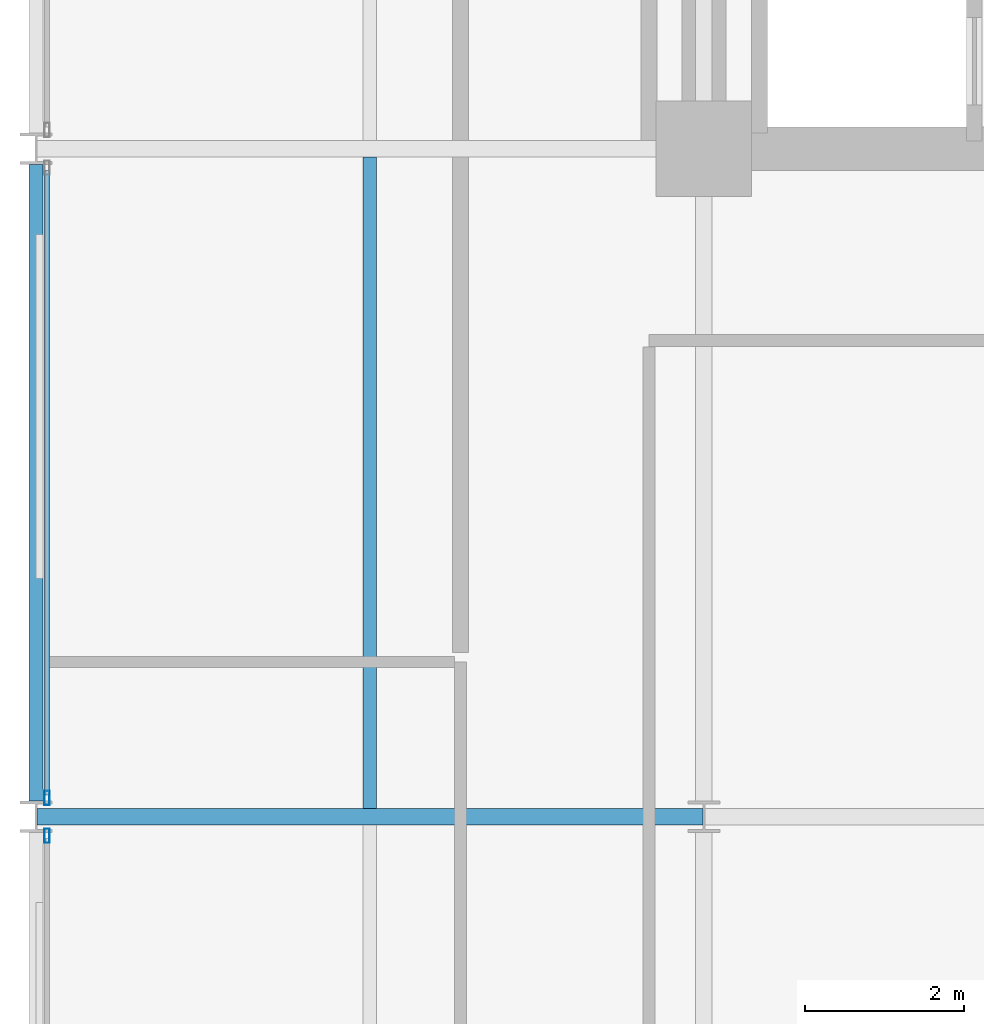
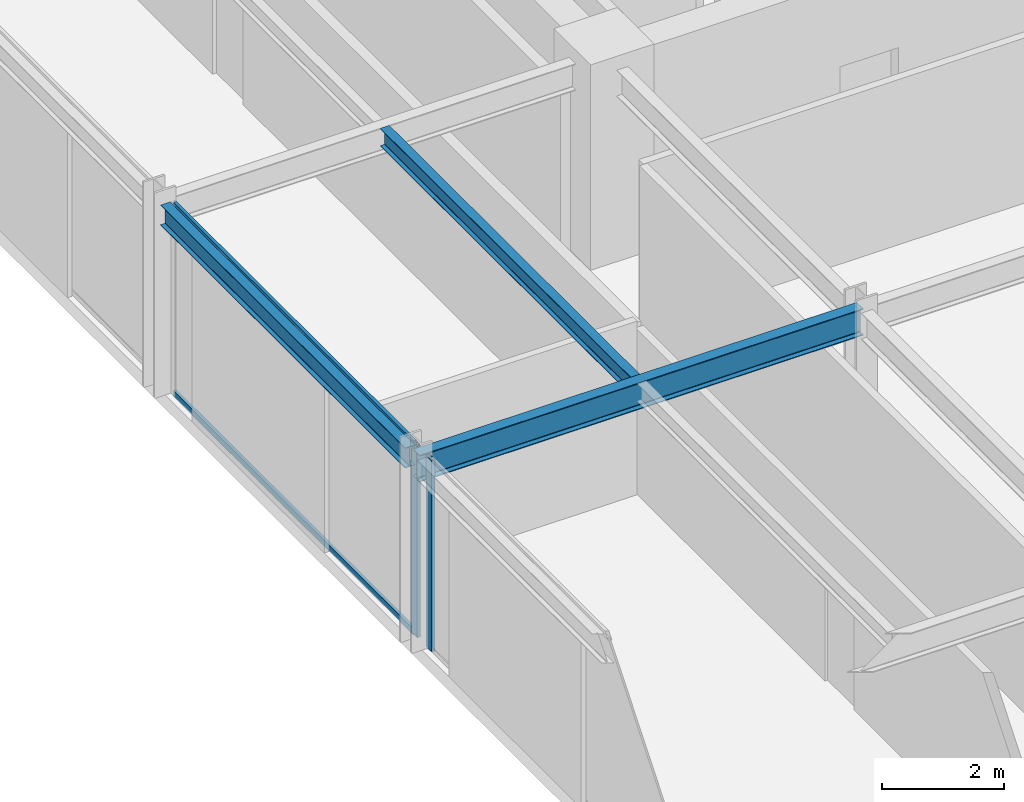
# One storey, part 8 of 29: 4 members, 3 beams, 2 elements without a shape of their own.
"""IFC4 building model written with IfcOpenShell, lengths in metres."""

from ifc_helpers import new_model, si_unit, direction, frame, origin, origin_2d, place, context, subcontext, project, spatial, hollow_rectangle, i_section, extrude, material, layer, layer_set, material_profile, profile_set, type_object, element, aggregate, save


model = new_model("IFC4")

# Units and contexts
model_context = context("Model", 3, precision=1e-05, world=origin(), true_north=direction((0.0, 1.0)))
body_context = subcontext(model_context, "Body", "Model", "MODEL_VIEW")
ifc_project = project(units=[si_unit("LENGTHUNIT", "METRE"), si_unit("AREAUNIT", "SQUARE_METRE"), si_unit("VOLUMEUNIT", "CUBIC_METRE"), si_unit("PLANEANGLEUNIT", "RADIAN"), si_unit("MASSUNIT", "GRAM", prefix="KILO")], contexts=[model_context])

# Site, building, storey
site_placement = place(None, origin())
site = spatial("IfcSite", under=ifc_project, at=site_placement, CompositionType="ELEMENT")
building_placement = place(site_placement, origin())
building = spatial("IfcBuilding", under=site, at=building_placement, Name="Nerrivon Quay Data Exchange", CompositionType="ELEMENT")
storey_placement = place(building_placement, frame((0.0, 0.0, 125.39990234375)))
storey = spatial("IfcBuildingStorey", under=building, at=storey_placement, Name="L29", CompositionType="ELEMENT", Elevation=125.39990234375)

# Beams
ifc_material_1 = material(Name="Steel Grade 350", Category="steel")
ifc_material_profile_1 = material_profile(ifc_material_1, i_section(OverallWidth=0.208984375, OverallDepth=0.532958984375, WebThickness=0.01025390625, FlangeThickness=0.015625, FilletRadius=0.013916015625, at=origin_2d()), Name="530UB92.4")
ifc_profile_set_1 = profile_set([ifc_material_profile_1], Name="Steel Grade 350")
beam_type_1 = type_object("IfcBeamType", Name="BM-G3-530UB92", PredefinedType="BEAM", material=ifc_profile_set_1)
beam_1_placement = place(storey_placement, frame((0.012451171875, 16.800048828125, 3.55859375), z_axis=(1.0, 0.0, 0.0), x_axis=(0.0, 1.0, 0.0)))
element("IfcBeam", 1, at=beam_1_placement, inside=storey, type_object=beam_type_1, Name="L29 EW Girder Y=16.8 (0.0..8.4)", PredefinedType="BEAM", context=body_context, shape_type="SweptSolid", body=[
    extrude(i_section(OverallWidth=0.208984375, OverallDepth=0.532958984375, WebThickness=0.01025390625, FlangeThickness=0.015625, FilletRadius=0.013916015625, at=origin_2d()), origin(), (0.0, 0.0, 1.0), 8.375),
])
ifc_material_profile_2 = material_profile(ifc_material_1, i_section(OverallWidth=0.1708984375, OverallDepth=0.35595703125, WebThickness=0.00732421875, FlangeThickness=0.011474609375, FilletRadius=0.011474609375, at=origin_2d()), Name="360UB50.7")
ifc_profile_set_2 = profile_set([ifc_material_profile_2], Name="Steel Grade 350")
beam_type_2 = type_object("IfcBeamType", Name="BM-J4-360UB51", PredefinedType="JOIST", material=ifc_profile_set_2)
beam_2_placement = place(storey_placement, frame((4.199951171875, 16.904541015625, 3.647216796875), z_axis=(0.0, 1.0, 0.0), x_axis=(-1.0, 0.0, 0.0)))
element("IfcBeam", 2, at=beam_2_placement, inside=storey, type_object=beam_type_2, Name="L29 Secondary Joist X=4.2 (16.8..25.2)", PredefinedType="JOIST", context=body_context, shape_type="SweptSolid", body=[
    extrude(i_section(OverallWidth=0.1708984375, OverallDepth=0.35595703125, WebThickness=0.00732421875, FlangeThickness=0.011474609375, FilletRadius=0.011474609375, at=origin_2d()), origin(), (0.0, 0.0, 1.0), 8.19091796875),
])
ifc_material_profile_3 = material_profile(ifc_material_1, i_section(OverallWidth=0.177978515625, OverallDepth=0.403076171875, WebThickness=0.007568359375, FlangeThickness=0.010986328125, FilletRadius=0.011474609375, at=origin_2d()), Name="410UB53.7")
ifc_profile_set_3 = profile_set([ifc_material_profile_3], Name="Steel Grade 350")
beam_type_3 = type_object("IfcBeamType", Name="BM-SP2-410UB54", PredefinedType="SPANDREL", material=ifc_profile_set_3)
beam_3_placement = place(storey_placement, frame((0.0, 17.0, 3.62353515625), z_axis=(0.0, 1.0, 0.0), x_axis=(-1.0, 0.0, 0.0)))
element("IfcBeam", 3, at=beam_3_placement, inside=storey, type_object=beam_type_3, Name="L29 NS Girder X=0.0 (16.8..25.2)", PredefinedType="SPANDREL", context=body_context, shape_type="SweptSolid", body=[
    extrude(i_section(OverallWidth=0.177978515625, OverallDepth=0.403076171875, WebThickness=0.007568359375, FlangeThickness=0.010986328125, FilletRadius=0.011474609375, at=origin_2d()), origin(), (0.0, 0.0, 1.0), 8.0),
])

# Curtain wall, member
ifc_material_2 = material(Name="Anodised aluminium 6063-T6", Category="aluminium")
ifc_layer = layer(ifc_material_2, 0.2099609375)
ifc_layer_set = layer_set([ifc_layer], Name="Anodised aluminium 6063-T6")
curtain_wall_type = type_object("IfcCurtainWallType", Name="CW-SYS-02", PredefinedType="NOTDEFINED", material=ifc_layer_set)
curtain_wall_1_placement = place(storey_placement, origin())
curtain_wall_1 = element("IfcCurtainWall", 4, at=curtain_wall_1_placement, inside=storey, type_object=curtain_wall_type, Name="L29 Unitised Curtain Wall 12", PredefinedType="NOTDEFINED")
ifc_material_profile_4 = material_profile(ifc_material_2, hollow_rectangle(XDim=0.06494140625, YDim=0.179931640625, WallThickness=0.00341796875, at=origin_2d()), Name="ALU-MULL-180x65")
ifc_profile_set_4 = profile_set([ifc_material_profile_4], Name="Anodised aluminium 6063-T6")
member_type_1 = type_object("IfcMemberType", Name="CWM-180x65", PredefinedType="MULLION", material=ifc_profile_set_4)
member_1_placement = place(storey_placement, frame((0.139892578125, 16.5625, 0.0), z_axis=(0.0, 0.0, 1.0), x_axis=(-1.0, 0.0, 0.0)))
member_1 = element("IfcMember", 5, at=member_1_placement, type_object=member_type_1, Name="CW02 mullion 2", PredefinedType="MULLION", context=body_context, shape_type="SweptSolid", body=[
    extrude(hollow_rectangle(XDim=0.06494140625, YDim=0.179931640625, WallThickness=0.00341796875, at=origin_2d()), origin(), (0.0, 0.0, 1.0), 3.8251953125),
])
aggregate(curtain_wall_1, [member_1])

# Curtain wall, members
curtain_wall_2_placement = place(storey_placement, origin())
curtain_wall_2 = element("IfcCurtainWall", 6, at=curtain_wall_2_placement, inside=storey, type_object=curtain_wall_type, Name="L29 Unitised Curtain Wall 13", PredefinedType="NOTDEFINED")
member_2_placement = place(storey_placement, frame((0.139892578125, 17.03759765625, 0.0), z_axis=(0.0, 0.0, 1.0), x_axis=(-1.0, 0.0, 0.0)))
member_2 = element("IfcMember", 7, at=member_2_placement, type_object=member_type_1, Name="CW02 mullion 1", PredefinedType="MULLION", context=body_context, shape_type="SweptSolid", body=[
    extrude(hollow_rectangle(XDim=0.06494140625, YDim=0.179931640625, WallThickness=0.00341796875, at=origin_2d()), origin(), (0.0, 0.0, 1.0), 3.8251953125),
])
ifc_material_profile_5 = material_profile(ifc_material_2, hollow_rectangle(XDim=0.06005859375, YDim=0.1201171875, WallThickness=0.003173828125, at=origin_2d()), Name="ALU-TRAN-120x60")
ifc_profile_set_5 = profile_set([ifc_material_profile_5], Name="Anodised aluminium 6063-T6")
member_type_2 = type_object("IfcMemberType", Name="CWT-120x60", PredefinedType="USERDEFINED", material=ifc_profile_set_5)
member_3_placement = place(storey_placement, frame((0.139892578125, 17.074951171875, 0.03271484375), z_axis=(0.0, 1.0, 0.0), x_axis=(-1.0, 0.0, 0.0)))
member_3 = element("IfcMember", 8, at=member_3_placement, type_object=member_type_2, Name="CW02 transom 1.1", ObjectType="TRANSOM", PredefinedType="USERDEFINED", context=body_context, shape_type="SweptSolid", body=[
    extrude(hollow_rectangle(XDim=0.06005859375, YDim=0.1201171875, WallThickness=0.003173828125, at=origin_2d()), origin(), (0.0, 0.0, 1.0), 7.85009765625),
])
member_4_placement = place(storey_placement, frame((0.139892578125, 17.074951171875, 3.79248046875), z_axis=(0.0, 1.0, 0.0), x_axis=(-1.0, 0.0, 0.0)))
member_4 = element("IfcMember", 9, at=member_4_placement, type_object=member_type_2, Name="CW02 transom 1.2", ObjectType="TRANSOM", PredefinedType="USERDEFINED", context=body_context, shape_type="SweptSolid", body=[
    extrude(hollow_rectangle(XDim=0.06005859375, YDim=0.1201171875, WallThickness=0.003173828125, at=origin_2d()), origin(), (0.0, 0.0, 1.0), 7.85009765625),
])
aggregate(curtain_wall_2, [member_2, member_3, member_4])

save(model, "model.ifc")
